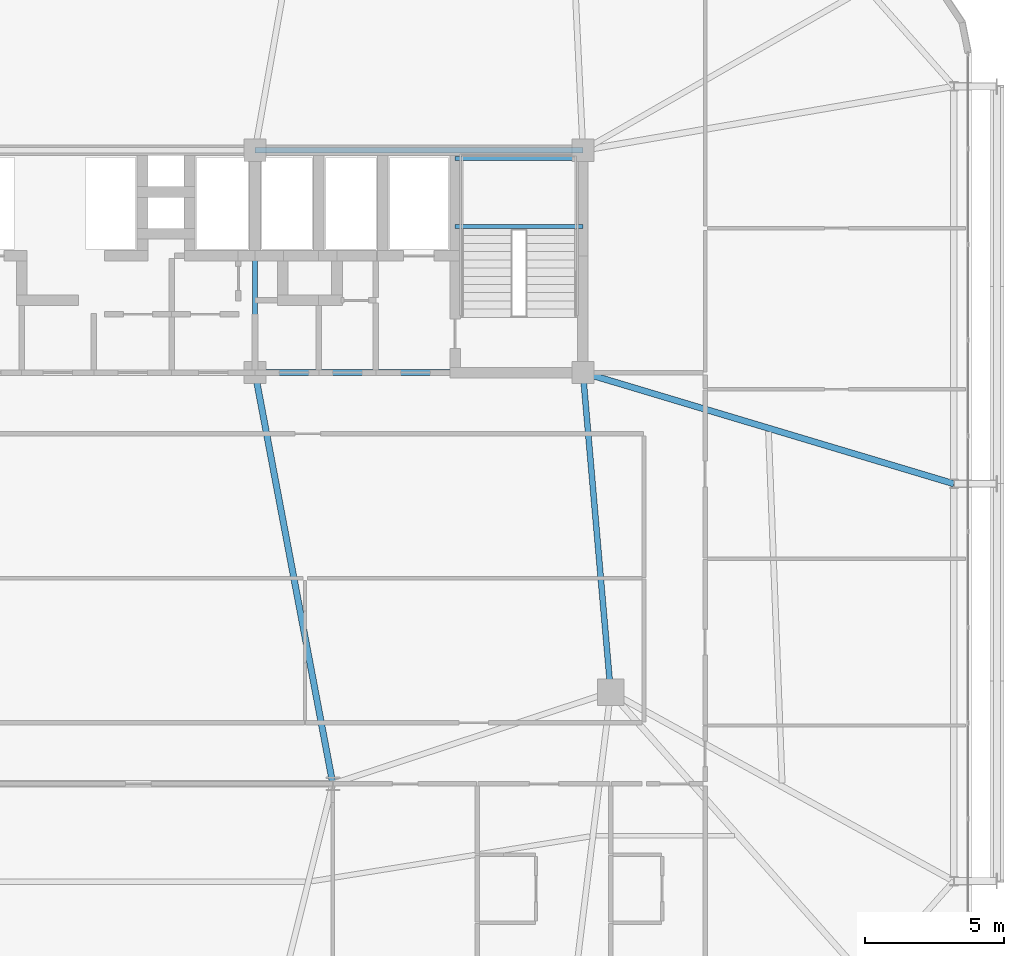
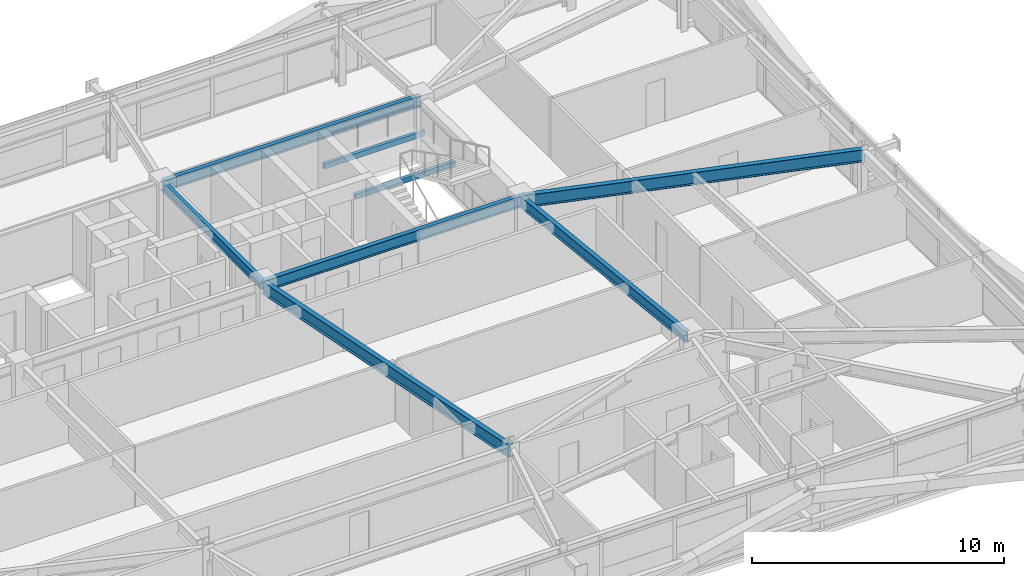
# One storey, part 29 of 59: 8 beams.
"""IFC4 building model written with IfcOpenShell, lengths in metres."""

from ifc_helpers import new_model, si_unit, direction, frame, origin, origin_2d, place, context, subcontext, project, spatial, hollow_rectangle, i_section, extrude, source, transform, mapped, material, material_profile, profile_set, type_object, element, save


model = new_model("IFC4")

# Units and contexts
model_context = context("Model", 3, precision=1e-05, world=origin(), true_north=direction((0.0, 1.0)))
body_context = subcontext(model_context, "Body", "Model", "MODEL_VIEW")
ifc_project = project(units=[si_unit("LENGTHUNIT", "METRE"), si_unit("AREAUNIT", "SQUARE_METRE"), si_unit("VOLUMEUNIT", "CUBIC_METRE"), si_unit("PLANEANGLEUNIT", "RADIAN"), si_unit("MASSUNIT", "GRAM", prefix="KILO")], contexts=[model_context])

# Site, building, storey
site_placement = place(None, origin())
site = spatial("IfcSite", under=ifc_project, at=site_placement, CompositionType="ELEMENT")
building_placement = place(site_placement, origin())
building = spatial("IfcBuilding", under=site, at=building_placement, Name="Taldren Reach Tower", CompositionType="ELEMENT")
storey_placement = place(building_placement, frame((0.0, 0.0, 26.25)))
storey = spatial("IfcBuildingStorey", under=building, at=storey_placement, Name="L07", CompositionType="ELEMENT", Elevation=26.25)

# Beams
ifc_material_1 = material(Name="Steel Gr 350 (350PLUS)", Category="steel")
ifc_material_profile_1 = material_profile(ifc_material_1, i_section(OverallWidth=0.208984375, OverallDepth=0.532958984375, WebThickness=0.01025390625, FlangeThickness=0.015625, at=origin_2d()), Name="530UB92.4")
ifc_profile_set_1 = profile_set([ifc_material_profile_1], Name="Steel Gr 350 (350PLUS)")
beam_type_1 = type_object("IfcBeamType", Name="BM-UB530A", PredefinedType="BEAM", material=ifc_profile_set_1)
shared_shape_1 = source(origin(), body_context, "Body", "SweptSolid", [
    extrude(i_section(OverallWidth=0.208984375, OverallDepth=0.532958984375, WebThickness=0.01025390625, FlangeThickness=0.015625, at=origin_2d()), origin(), (0.0, 0.0, 1.0), 11.800048828125),
])
for number, where, z_axis, x_axis, name in (
    (1, (39.199951171875, 24.0, 2.66357421875), (1.0, 0.0, 0.0), (0.0, 1.0, 0.0), "Core-spine girder L07-SP03"),
    (2, (39.199951171875, 32.0, 2.66357421875), (1.0, 0.0, 0.0), (0.0, 1.0, 0.0), "Core-spine girder L07-SP06"),
):
    element("IfcBeam", number, at=place(storey_placement, frame(where, z_axis=z_axis, x_axis=x_axis)), inside=storey, type_object=beam_type_1, Name=name, PredefinedType="BEAM", context=body_context, shape_type="MappedRepresentation", body=[
        mapped(shared_shape_1, transform((0.0, 0.0, 0.0), scale=1.0)),
    ])
ifc_material_profile_2 = material_profile(ifc_material_1, i_section(OverallWidth=0.19091796875, OverallDepth=0.4599609375, WebThickness=0.010009765625, FlangeThickness=0.01611328125, at=origin_2d()), Name="460UB82.1")
ifc_profile_set_2 = profile_set([ifc_material_profile_2], Name="Steel Gr 350 (350PLUS)")
beam_type_2 = type_object("IfcBeamType", Name="BM-UB460A", PredefinedType="BEAM", material=ifc_profile_set_2)
shared_shape_2 = source(origin(), body_context, "Body", "SweptSolid", [
    extrude(i_section(OverallWidth=0.19091796875, OverallDepth=0.4599609375, WebThickness=0.010009765625, FlangeThickness=0.01611328125, at=origin_2d()), origin(), (0.0, 0.0, 1.0), 8.0),
])
beam_1_placement = place(storey_placement, frame((39.199951171875, 24.0, 2.699951171875), z_axis=(0.0, 1.0, 0.0), x_axis=(-1.0, 0.0, 0.0)))
element("IfcBeam", 3, at=beam_1_placement, inside=storey, type_object=beam_type_2, Name="Core-spine girder L07-SP08", PredefinedType="BEAM", context=body_context, shape_type="MappedRepresentation", body=[
    mapped(shared_shape_2, transform((0.0, 0.0, 0.0), scale=1.0)),
])
shared_shape_3 = source(origin(), body_context, "Body", "SweptSolid", [
    extrude(i_section(OverallWidth=0.208984375, OverallDepth=0.532958984375, WebThickness=0.01025390625, FlangeThickness=0.015625, at=origin_2d()), origin(), (0.0, 0.0, 1.0), 11.54345703125),
])
beam_2_placement = place(storey_placement, frame((52.0, 12.5, 2.66357421875), z_axis=(-0.086629616365, 0.996240588196, 0.0), x_axis=(-0.996240588196, -0.086629616365, 0.0)))
element("IfcBeam", 4, at=beam_2_placement, inside=storey, type_object=beam_type_1, Name="Core-spine girder L07-SP13", PredefinedType="BEAM", context=body_context, shape_type="MappedRepresentation", body=[
    mapped(shared_shape_3, transform((0.0, 0.0, 0.0), scale=1.0)),
])
ifc_material_profile_3 = material_profile(ifc_material_1, i_section(OverallWidth=0.22802734375, OverallDepth=0.60205078125, WebThickness=0.010498046875, FlangeThickness=0.014892578125, at=origin_2d()), Name="610UB101")
ifc_profile_set_3 = profile_set([ifc_material_profile_3], Name="Steel Gr 350 (350PLUS)")
beam_type_3 = type_object("IfcBeamType", Name="BM-UB610B", PredefinedType="BEAM", material=ifc_profile_set_3)
shared_shape_4 = source(origin(), body_context, "Body", "SweptSolid", [
    extrude(i_section(OverallWidth=0.22802734375, OverallDepth=0.60205078125, WebThickness=0.010498046875, FlangeThickness=0.014892578125, at=origin_2d()), origin(), (0.0, 0.0, 1.0), 15.0625),
])
beam_3_placement = place(storey_placement, frame((39.199951171875, 24.0, 2.62890625), z_axis=(0.185894205668, -0.982569765614, 0.0), x_axis=(0.982569765614, 0.185894205668, 0.0)))
element("IfcBeam", 5, at=beam_3_placement, inside=storey, type_object=beam_type_3, Name="Core-spine girder L07-SP15", PredefinedType="BEAM", context=body_context, shape_type="MappedRepresentation", body=[
    mapped(shared_shape_4, transform((0.0, 0.0, 0.0), scale=1.0)),
])
shared_shape_5 = source(origin(), body_context, "Body", "SweptSolid", [
    extrude(i_section(OverallWidth=0.22802734375, OverallDepth=0.60205078125, WebThickness=0.010498046875, FlangeThickness=0.014892578125, at=origin_2d()), origin(), (0.0, 0.0, 1.0), 13.9365234375),
])
beam_4_placement = place(storey_placement, frame((51.0, 24.0, 2.62890625), z_axis=(0.957925550891, -0.287016792104, 0.0), x_axis=(0.287016792104, 0.957925550891, 0.0)))
element("IfcBeam", 6, at=beam_4_placement, inside=storey, type_object=beam_type_3, Name="Primary floor girder B1-E2 L07", PredefinedType="BEAM", context=body_context, shape_type="MappedRepresentation", body=[
    mapped(shared_shape_5, transform((0.0, 0.0, 0.0), scale=1.0)),
])
ifc_material_2 = material(Name="Steel Gr 350 (C350L0)", Category="steel")
ifc_material_profile_4 = material_profile(ifc_material_2, hollow_rectangle(XDim=0.14990234375, YDim=0.25, WallThickness=0.009033203125, at=origin_2d()), Name="250x150x9.0RHS")
ifc_profile_set_4 = profile_set([ifc_material_profile_4], Name="Steel Gr 350 (C350L0)")
beam_type_4 = type_object("IfcBeamType", Name="LN-RHS250", PredefinedType="LINTEL", material=ifc_profile_set_4)
shared_shape_6 = source(origin(), body_context, "Body", "SweptSolid", [
    extrude(hollow_rectangle(XDim=0.14990234375, YDim=0.25, WallThickness=0.009033203125, at=origin_2d()), origin(), (0.0, 0.0, 1.0), 4.60009765625),
])
for number, where, z_axis, x_axis, name in (
    (7, (46.39990234375, 29.2548828125, 1.27001953125), (1.0, 0.0, 0.0), (0.0, 1.0, 0.0), "Stair half-landing support beam ST2-L07-1"),
    (8, (46.39990234375, 31.699951171875, 1.27001953125), (1.0, 0.0, 0.0), (0.0, 1.0, 0.0), "Stair half-landing support beam ST2-L07-2"),
):
    element("IfcBeam", number, at=place(storey_placement, frame(where, z_axis=z_axis, x_axis=x_axis)), inside=storey, type_object=beam_type_4, Name=name, PredefinedType="LINTEL", context=body_context, shape_type="MappedRepresentation", body=[
        mapped(shared_shape_6, transform((0.0, 0.0, 0.0), scale=1.0)),
    ])

save(model, "model.ifc")
